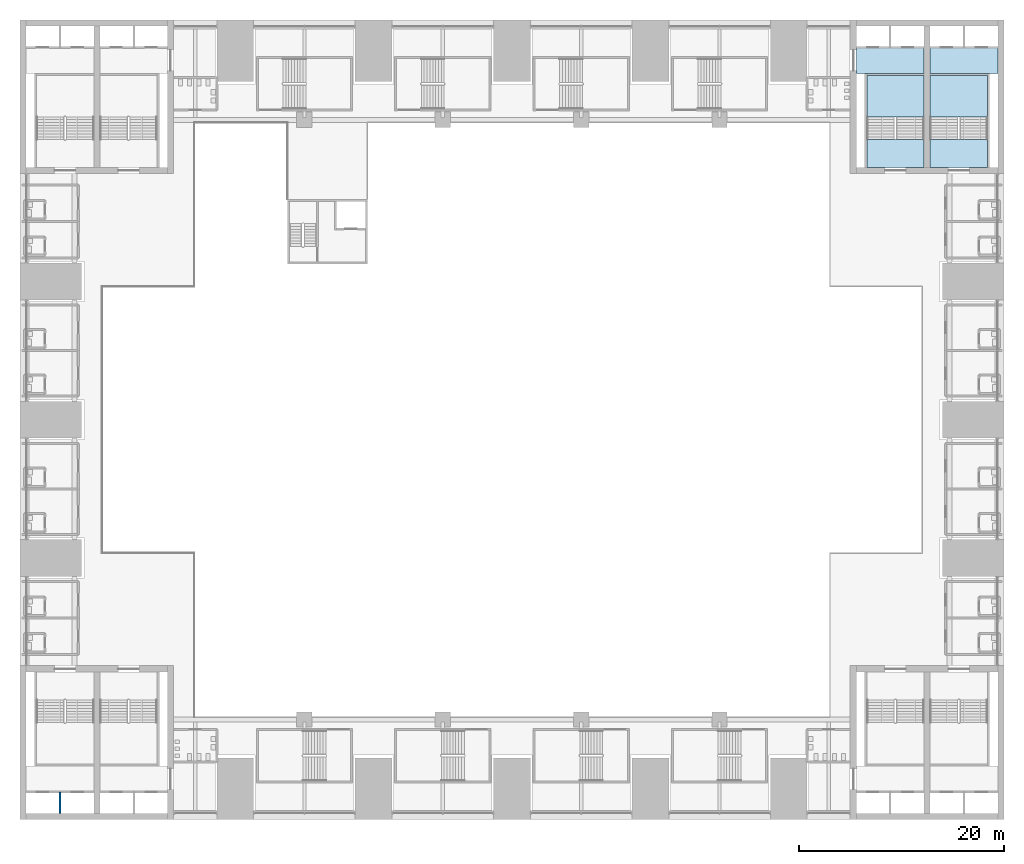
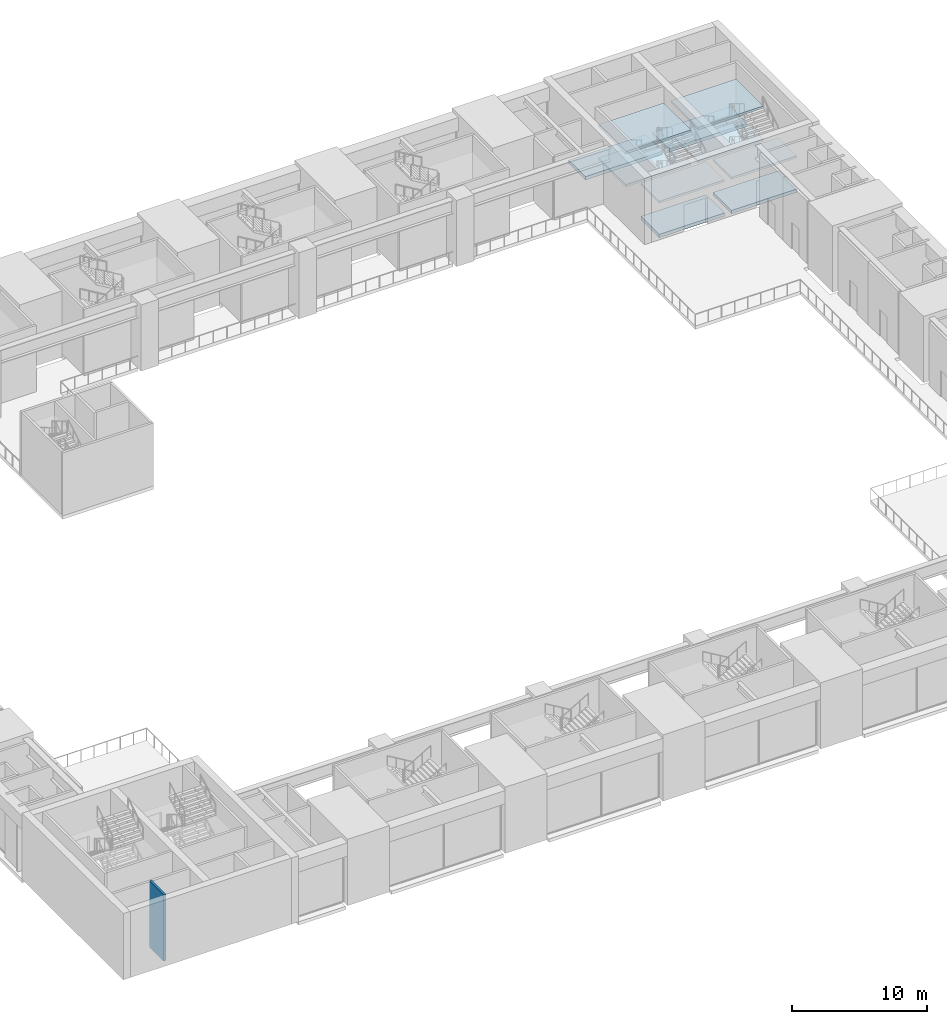
# One storey, part 12 of 43: 10 slabs, 1 wall, 2 elements without a shape of their own.
"""IFC4 building model written with IfcOpenShell, lengths in metres."""

from ifc_helpers import new_model, si_unit, direction, frame, frame_2d, origin, place, context, subcontext, project, spatial, polyline, rectangle, outline, extrude, material, layer, layer_set, type_object, element, aggregate, save


model = new_model("IFC4")

# Units and contexts
model_context = context("Model", 3, precision=1e-05, world=origin(), true_north=direction((0.0, 1.0)))
body_context = subcontext(model_context, "Body", "Model", "MODEL_VIEW")
ifc_project = project(units=[si_unit("LENGTHUNIT", "METRE"), si_unit("AREAUNIT", "SQUARE_METRE"), si_unit("VOLUMEUNIT", "CUBIC_METRE"), si_unit("PLANEANGLEUNIT", "RADIAN"), si_unit("MASSUNIT", "GRAM", prefix="KILO")], contexts=[model_context])

# Site, building, storey
site_placement = place(None, origin())
site = spatial("IfcSite", under=ifc_project, at=site_placement, CompositionType="ELEMENT")
building_placement = place(site_placement, origin())
building = spatial("IfcBuilding", under=site, at=building_placement, Name="Corbelhall Arena Tower", CompositionType="ELEMENT")
storey_placement = place(building_placement, frame((0.0, 0.0, 25.0)))
storey = spatial("IfcBuildingStorey", under=building, at=storey_placement, Name="L03", CompositionType="ELEMENT", Elevation=25.0)

# Stair, slabs
ifc_material = material(Name="Reinforced concrete C40/50", Category="concrete")
stair_type = type_object("IfcStairType", Name="AR-EXIT-STAIR", PredefinedType="HALF_TURN_STAIR", material=ifc_material)
stair_1_placement = place(storey_placement, origin())
stair_1 = element("IfcStair", 1, at=stair_1_placement, inside=storey, type_object=stair_type, Name="L03 exit stair AS1", PredefinedType="HALF_TURN_STAIR")
ifc_layer_1 = layer(ifc_material, 0.199951171875)
ifc_layer_set_1 = layer_set([ifc_layer_1], Name="AR-EXIT-LANDING")
slab_type_1 = type_object("IfcSlabType", Name="AR-EXIT-LANDING", PredefinedType="LANDING", material=ifc_layer_set_1)
slab_1_placement = place(storey_placement, frame((0.0, 0.0, 1.300048828125)))
slab_1 = element("IfcSlab", 2, at=slab_1_placement, type_object=slab_type_1, Name="AS1 landing 1", PredefinedType="LANDING", context=body_context, shape_type="SweptSolid", body=[
    extrude(outline(polyline([(40.199951171875, 29.56005859375), (40.199951171875, 33.60009765625), (34.610107421875, 33.60009765625), (34.610107421875, 29.56005859375), (40.199951171875, 29.56005859375)])), origin(), (0.0, 0.0, 1.0), 0.199951171875),
])
slab_2_placement = place(storey_placement, frame((0.0, 0.0, 2.800048828125)))
slab_2 = element("IfcSlab", 3, at=slab_2_placement, type_object=slab_type_1, Name="AS1 landing 2", PredefinedType="LANDING", context=body_context, shape_type="SweptSolid", body=[
    extrude(outline(polyline([(40.199951171875, 24.60009765625), (40.199951171875, 27.320068359375), (34.610107421875, 27.320068359375), (34.610107421875, 24.60009765625), (40.199951171875, 24.60009765625)])), origin(), (0.0, 0.0, 1.0), 0.199951171875),
])
slab_3_placement = place(storey_placement, frame((0.0, 0.0, 4.300048828125)))
slab_3 = element("IfcSlab", 4, at=slab_3_placement, type_object=slab_type_1, Name="AS1 landing 3", PredefinedType="LANDING", context=body_context, shape_type="SweptSolid", body=[
    extrude(outline(polyline([(40.199951171875, 29.56005859375), (40.199951171875, 33.60009765625), (34.610107421875, 33.60009765625), (34.610107421875, 29.56005859375), (40.199951171875, 29.56005859375)])), origin(), (0.0, 0.0, 1.0), 0.199951171875),
])
aggregate(stair_1, [slab_1, slab_2, slab_3])

stair_2_placement = place(storey_placement, origin())
stair_2 = element("IfcStair", 5, at=stair_2_placement, inside=storey, type_object=stair_type, Name="L03 exit stair AS2", PredefinedType="HALF_TURN_STAIR")
slab_4_placement = place(storey_placement, frame((0.0, 0.0, 1.300048828125)))
slab_4 = element("IfcSlab", 6, at=slab_4_placement, type_object=slab_type_1, Name="AS2 landing 1", PredefinedType="LANDING", context=body_context, shape_type="SweptSolid", body=[
    extrude(outline(polyline([(46.389892578125, 29.56005859375), (46.389892578125, 33.60009765625), (40.800048828125, 33.60009765625), (40.800048828125, 29.56005859375), (46.389892578125, 29.56005859375)])), origin(), (0.0, 0.0, 1.0), 0.199951171875),
])
slab_5_placement = place(storey_placement, frame((0.0, 0.0, 2.800048828125)))
slab_5 = element("IfcSlab", 7, at=slab_5_placement, type_object=slab_type_1, Name="AS2 landing 2", PredefinedType="LANDING", context=body_context, shape_type="SweptSolid", body=[
    extrude(outline(polyline([(46.389892578125, 24.60009765625), (46.389892578125, 27.320068359375), (40.800048828125, 27.320068359375), (40.800048828125, 24.60009765625), (46.389892578125, 24.60009765625)])), origin(), (0.0, 0.0, 1.0), 0.199951171875),
])
slab_6_placement = place(storey_placement, frame((0.0, 0.0, 4.300048828125)))
slab_6 = element("IfcSlab", 8, at=slab_6_placement, type_object=slab_type_1, Name="AS2 landing 3", PredefinedType="LANDING", context=body_context, shape_type="SweptSolid", body=[
    extrude(outline(polyline([(46.389892578125, 29.56005859375), (46.389892578125, 33.60009765625), (40.800048828125, 33.60009765625), (40.800048828125, 29.56005859375), (46.389892578125, 29.56005859375)])), origin(), (0.0, 0.0, 1.0), 0.199951171875),
])
aggregate(stair_2, [slab_4, slab_5, slab_6])

# Slabs
ifc_layer_2 = layer(ifc_material, 0.300048828125)
ifc_layer_set_2 = layer_set([ifc_layer_2], Name="AR-STAIR-FLOOR")
slab_type_2 = type_object("IfcSlabType", Name="AR-STAIR-FLOOR", PredefinedType="FLOOR", material=ifc_layer_set_2)
slab_7_placement = place(storey_placement, frame((0.0, 0.0, -0.300048828125)))
element("IfcSlab", 9, at=slab_7_placement, inside=storey, type_object=slab_type_2, Name="Stair AS1 floor", PredefinedType="FLOOR", context=body_context, shape_type="SweptSolid", body=[
    extrude(outline(polyline([(40.199951171875, 24.60009765625), (34.610107421875, 24.60009765625), (34.610107421875, 27.322998046875), (40.199951171875, 27.322998046875), (40.199951171875, 24.60009765625)])), origin(), (0.0, 0.0, 1.0), 0.300048828125),
])
slab_8_placement = place(storey_placement, frame((0.0, 0.0, -0.300048828125)))
element("IfcSlab", 10, at=slab_8_placement, inside=storey, type_object=slab_type_2, Name="Stair AS2 floor", PredefinedType="FLOOR", context=body_context, shape_type="SweptSolid", body=[
    extrude(outline(polyline([(46.389892578125, 24.60009765625), (40.800048828125, 24.60009765625), (40.800048828125, 27.322998046875), (46.389892578125, 27.322998046875), (46.389892578125, 24.60009765625)])), origin(), (0.0, 0.0, 1.0), 0.300048828125),
])
slab_9_placement = place(storey_placement, frame((0.0, 0.0, -0.300048828125)))
element("IfcSlab", 11, at=slab_9_placement, inside=storey, type_object=slab_type_2, Name="Lift lobby floor NE", PredefinedType="FLOOR", context=body_context, shape_type="SweptSolid", body=[
    extrude(outline(polyline([(40.199951171875, 33.800048828125), (40.199951171875, 36.300048828125), (33.60009765625, 36.300048828125), (33.60009765625, 33.800048828125), (40.199951171875, 33.800048828125)])), origin(), (0.0, 0.0, 1.0), 0.300048828125),
])
slab_10_placement = place(storey_placement, frame((0.0, 0.0, -0.300048828125)))
element("IfcSlab", 12, at=slab_10_placement, inside=storey, type_object=slab_type_2, Name="Lift lobby floor NE", PredefinedType="FLOOR", context=body_context, shape_type="SweptSolid", body=[
    extrude(outline(polyline([(47.39990234375, 33.800048828125), (47.39990234375, 36.300048828125), (40.800048828125, 36.300048828125), (40.800048828125, 33.800048828125), (47.39990234375, 33.800048828125)])), origin(), (0.0, 0.0, 1.0), 0.300048828125),
])

# Wall
ifc_layer_3 = layer(ifc_material, 0.199951171875)
ifc_layer_set_3 = layer_set([ifc_layer_3], Name="AR-SHAFT-WALL")
wall_type = type_object("IfcWallType", Name="AR-SHAFT-WALL", PredefinedType="SHEAR", material=ifc_layer_set_3)
wall_placement = place(storey_placement, frame((-44.10009765625, -38.39990234375, 0.0), z_axis=(0.0, 0.0, 1.0), x_axis=(0.0, 1.0, 0.0)))
element("IfcWall", 13, at=wall_placement, inside=storey, type_object=wall_type, Name="Shaft wall SW", PredefinedType="SHEAR", context=body_context, shape_type="SweptSolid", body=[
    extrude(rectangle(XDim=2.099853515625, YDim=0.199951171875, at=frame_2d((1.0498046875, 0.0))), origin(), (0.0, 0.0, 1.0), 6.0),
])

save(model, "model.ifc")
